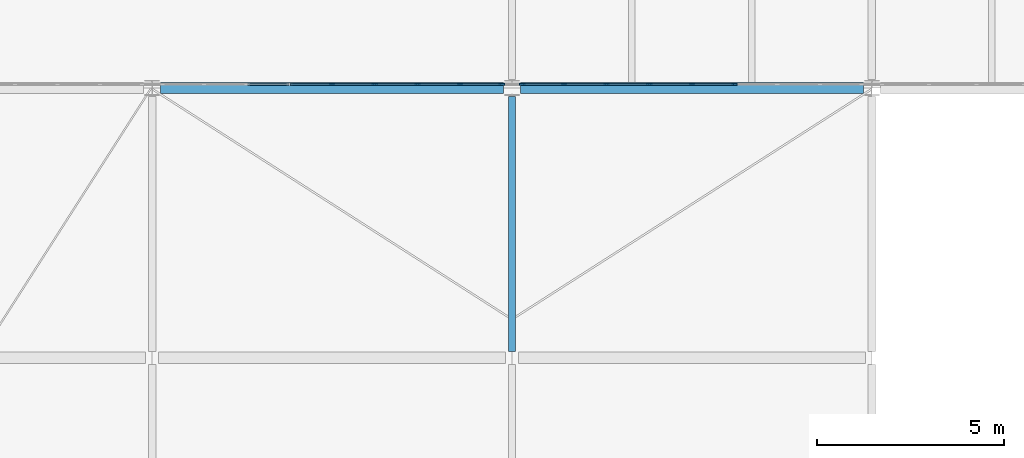
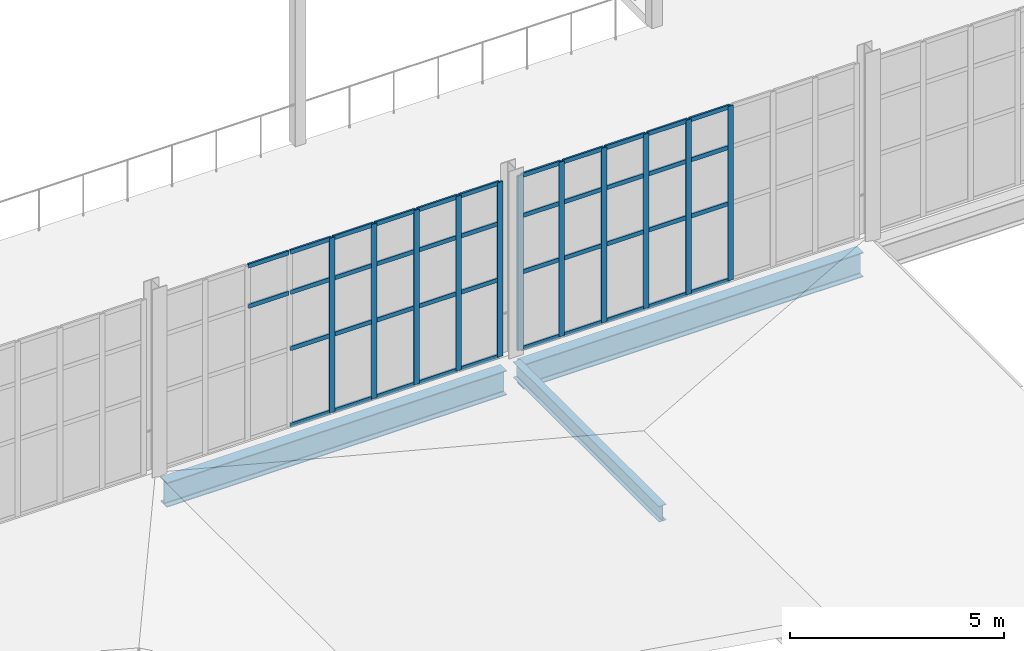
# One storey, part 36 of 112: 53 members, 3 beams, 2 elements without a shape of their own.
"""IFC4 building model written with IfcOpenShell, lengths in metres."""

from ifc_helpers import new_model, si_unit, direction, frame, origin, origin_2d, place, context, subcontext, project, spatial, rectangle, i_section, extrude, material, layer, layer_set, material_profile, profile_set, type_object, element, aggregate, save


model = new_model("IFC4")

# Units and contexts
model_context = context("Model", 3, precision=1e-05, world=origin(), true_north=direction((0.0, 1.0)))
body_context = subcontext(model_context, "Body", "Model", "MODEL_VIEW")
ifc_project = project(units=[si_unit("LENGTHUNIT", "METRE"), si_unit("AREAUNIT", "SQUARE_METRE"), si_unit("VOLUMEUNIT", "CUBIC_METRE"), si_unit("PLANEANGLEUNIT", "RADIAN"), si_unit("MASSUNIT", "GRAM", prefix="KILO")], contexts=[model_context])

# Site, building, storey
site_placement = place(None, origin())
site = spatial("IfcSite", under=ifc_project, at=site_placement, CompositionType="ELEMENT")
building_placement = place(site_placement, origin())
building = spatial("IfcBuilding", under=site, at=building_placement, Name="Yeouljin Market Hall", CompositionType="ELEMENT")
storey_placement = place(building_placement, frame((0.0, 0.0, 6.0)))
storey = spatial("IfcBuildingStorey", under=building, at=storey_placement, Name="L01", CompositionType="ELEMENT", Elevation=6.0)

# Beam
ifc_material_1 = material(Name="Steel SM355", Category="steel")
ifc_material_profile_1 = material_profile(ifc_material_1, i_section(OverallWidth=0.199951171875, OverallDepth=0.449951171875, WebThickness=0.009033203125, FlangeThickness=0.013916015625, FilletRadius=0.01806640625, at=origin_2d()), Name="H-450x200x9x14")
ifc_profile_set_1 = profile_set([ifc_material_profile_1], Name="Steel SM355")
beam_type_1 = type_object("IfcBeamType", Name="Beam_H-450x200x9x14", PredefinedType="BEAM", material=ifc_profile_set_1)
beam_1_placement = place(storey_placement, frame((121.800048828125, 28.97509765625, -0.2451171875), z_axis=(0.0, 1.0, 0.0), x_axis=(-1.0, 0.0, 0.0)))
element("IfcBeam", 1, at=beam_1_placement, inside=storey, type_object=beam_type_1, Name="Boulevard forecourt canopy beam BM-V5FC-Y31", PredefinedType="BEAM", context=body_context, shape_type="SweptSolid", body=[
    extrude(i_section(OverallWidth=0.199951171875, OverallDepth=0.449951171875, WebThickness=0.009033203125, FlangeThickness=0.013916015625, FilletRadius=0.01806640625, at=origin_2d()), origin(), (0.0, 0.0, 1.0), 6.7998046875),
])

# Curtain wall, members
ifc_material_2 = material(Name="Thermally Broken Aluminium", Category="aluminium")
ifc_layer = layer(ifc_material_2, 0.159912109375)
ifc_layer_set = layer_set([ifc_layer], Name="Thermally Broken Aluminium")
curtain_wall_type = type_object("IfcCurtainWallType", Name="CW_HallClerestory_System", PredefinedType="USERDEFINED", material=ifc_layer_set)
curtain_wall_1_placement = place(storey_placement, origin())
curtain_wall_1 = element("IfcCurtainWall", 2, at=curtain_wall_1_placement, inside=storey, type_object=curtain_wall_type, Name="Curtain wall CW-V1S-L01-09", ObjectType="CURTAIN WALL", PredefinedType="USERDEFINED")
ifc_material_3 = material(Name="Thermally Broken Aluminium", Category="aluminium")
ifc_material_profile_2 = material_profile(ifc_material_3, rectangle(XDim=0.048095703125, YDim=0.14990234375, at=origin_2d()), Name="CW-MULL-48x150")
ifc_profile_set_2 = profile_set([ifc_material_profile_2], Name="Thermally Broken Aluminium")
member_type_1 = type_object("IfcMemberType", Name="CWMullion_48x150", PredefinedType="MULLION", material=ifc_profile_set_2)
member_1_placement = place(storey_placement, frame((121.52587890625, 36.10009765625, 0.0), z_axis=(0.0, 0.0, 1.0), x_axis=(0.0, -1.0, 0.0)))
member_1 = element("IfcMember", 3, at=member_1_placement, type_object=member_type_1, Name="CW-02 mullion 1", PredefinedType="MULLION", context=body_context, shape_type="SweptSolid", body=[
    extrude(rectangle(XDim=0.048095703125, YDim=0.14990234375, at=origin_2d()), origin(), (0.0, 0.0, 1.0), 4.969970703125),
])
member_2_placement = place(storey_placement, frame((120.41259765625, 36.10009765625, 0.0), z_axis=(0.0, 0.0, 1.0), x_axis=(0.0, -1.0, 0.0)))
member_2 = element("IfcMember", 4, at=member_2_placement, type_object=member_type_1, Name="CW-02 mullion 2", PredefinedType="MULLION", context=body_context, shape_type="SweptSolid", body=[
    extrude(rectangle(XDim=0.048095703125, YDim=0.14990234375, at=origin_2d()), origin(), (0.0, 0.0, 1.0), 4.969970703125),
])
member_3_placement = place(storey_placement, frame((119.27490234375, 36.10009765625, 0.0), z_axis=(0.0, 0.0, 1.0), x_axis=(0.0, -1.0, 0.0)))
member_3 = element("IfcMember", 5, at=member_3_placement, type_object=member_type_1, Name="CW-02 mullion 3", PredefinedType="MULLION", context=body_context, shape_type="SweptSolid", body=[
    extrude(rectangle(XDim=0.048095703125, YDim=0.14990234375, at=origin_2d()), origin(), (0.0, 0.0, 1.0), 4.969970703125),
])
member_4_placement = place(storey_placement, frame((118.137451171875, 36.10009765625, 0.0), z_axis=(0.0, 0.0, 1.0), x_axis=(0.0, -1.0, 0.0)))
member_4 = element("IfcMember", 6, at=member_4_placement, type_object=member_type_1, Name="CW-02 mullion 4", PredefinedType="MULLION", context=body_context, shape_type="SweptSolid", body=[
    extrude(rectangle(XDim=0.048095703125, YDim=0.14990234375, at=origin_2d()), origin(), (0.0, 0.0, 1.0), 4.969970703125),
])
member_5_placement = place(storey_placement, frame((117.0, 36.10009765625, 0.0), z_axis=(0.0, 0.0, 1.0), x_axis=(0.0, -1.0, 0.0)))
member_5 = element("IfcMember", 7, at=member_5_placement, type_object=member_type_1, Name="CW-02 mullion 5", PredefinedType="MULLION", context=body_context, shape_type="SweptSolid", body=[
    extrude(rectangle(XDim=0.048095703125, YDim=0.14990234375, at=origin_2d()), origin(), (0.0, 0.0, 1.0), 4.969970703125),
])

curtain_wall_2_placement = place(storey_placement, origin())
curtain_wall_2 = element("IfcCurtainWall", 8, at=curtain_wall_2_placement, inside=storey, type_object=curtain_wall_type, Name="Curtain wall CW-V1S-L01-10", ObjectType="CURTAIN WALL", PredefinedType="USERDEFINED")
member_6_placement = place(storey_placement, frame((127.737548828125, 36.10009765625, 0.0), z_axis=(0.0, 0.0, 1.0), x_axis=(0.0, -1.0, 0.0)))
member_6 = element("IfcMember", 9, at=member_6_placement, type_object=member_type_1, Name="CW-02 mullion 4", PredefinedType="MULLION", context=body_context, shape_type="SweptSolid", body=[
    extrude(rectangle(XDim=0.048095703125, YDim=0.14990234375, at=origin_2d()), origin(), (0.0, 0.0, 1.0), 4.969970703125),
])
member_7_placement = place(storey_placement, frame((126.60009765625, 36.10009765625, 0.0), z_axis=(0.0, 0.0, 1.0), x_axis=(0.0, -1.0, 0.0)))
member_7 = element("IfcMember", 10, at=member_7_placement, type_object=member_type_1, Name="CW-02 mullion 5", PredefinedType="MULLION", context=body_context, shape_type="SweptSolid", body=[
    extrude(rectangle(XDim=0.048095703125, YDim=0.14990234375, at=origin_2d()), origin(), (0.0, 0.0, 1.0), 4.969970703125),
])
member_8_placement = place(storey_placement, frame((125.46240234375, 36.10009765625, 0.0), z_axis=(0.0, 0.0, 1.0), x_axis=(0.0, -1.0, 0.0)))
member_8 = element("IfcMember", 11, at=member_8_placement, type_object=member_type_1, Name="CW-02 mullion 6", PredefinedType="MULLION", context=body_context, shape_type="SweptSolid", body=[
    extrude(rectangle(XDim=0.048095703125, YDim=0.14990234375, at=origin_2d()), origin(), (0.0, 0.0, 1.0), 4.969970703125),
])
member_9_placement = place(storey_placement, frame((124.324951171875, 36.10009765625, 0.0), z_axis=(0.0, 0.0, 1.0), x_axis=(0.0, -1.0, 0.0)))
member_9 = element("IfcMember", 12, at=member_9_placement, type_object=member_type_1, Name="CW-02 mullion 7", PredefinedType="MULLION", context=body_context, shape_type="SweptSolid", body=[
    extrude(rectangle(XDim=0.048095703125, YDim=0.14990234375, at=origin_2d()), origin(), (0.0, 0.0, 1.0), 4.969970703125),
])
member_10_placement = place(storey_placement, frame((123.1875, 36.10009765625, 0.0), z_axis=(0.0, 0.0, 1.0), x_axis=(0.0, -1.0, 0.0)))
member_10 = element("IfcMember", 13, at=member_10_placement, type_object=member_type_1, Name="CW-02 mullion 8", PredefinedType="MULLION", context=body_context, shape_type="SweptSolid", body=[
    extrude(rectangle(XDim=0.048095703125, YDim=0.14990234375, at=origin_2d()), origin(), (0.0, 0.0, 1.0), 4.969970703125),
])
member_11_placement = place(storey_placement, frame((122.073974609375, 36.10009765625, 0.0), z_axis=(0.0, 0.0, 1.0), x_axis=(0.0, -1.0, 0.0)))
member_11 = element("IfcMember", 14, at=member_11_placement, type_object=member_type_1, Name="CW-02 mullion 9", PredefinedType="MULLION", context=body_context, shape_type="SweptSolid", body=[
    extrude(rectangle(XDim=0.048095703125, YDim=0.14990234375, at=origin_2d()), origin(), (0.0, 0.0, 1.0), 4.969970703125),
])

# Member
ifc_material_4 = material(Name="Thermally Broken Aluminium", Category="aluminium")
ifc_material_profile_3 = material_profile(ifc_material_4, rectangle(XDim=0.048095703125, YDim=0.1201171875, at=origin_2d()), Name="CW-TRAN-48x120")
ifc_profile_set_3 = profile_set([ifc_material_profile_3], Name="Thermally Broken Aluminium")
member_type_2 = type_object("IfcMemberType", Name="CWTransom_48x120", PredefinedType="USERDEFINED", material=ifc_profile_set_3)
member_12_placement = place(storey_placement, frame((121.501953125, 36.10009765625, 0.02392578125), z_axis=(-1.0, 0.0, 0.0), x_axis=(0.0, -1.0, 0.0)))
member_12 = element("IfcMember", 15, at=member_12_placement, type_object=member_type_2, Name="CW-02 transom 1.1", ObjectType="TRANSOM", PredefinedType="USERDEFINED", context=body_context, shape_type="SweptSolid", body=[
    extrude(rectangle(XDim=0.048095703125, YDim=0.1201171875, at=origin_2d()), origin(), (0.0, 0.0, 1.0), 1.0654296875),
])

member_13_placement = place(storey_placement, frame((121.501953125, 36.10009765625, 2.199951171875), z_axis=(-1.0, 0.0, 0.0), x_axis=(0.0, -1.0, 0.0)))
member_13 = element("IfcMember", 16, at=member_13_placement, type_object=member_type_2, Name="CW-02 transom 1.2", ObjectType="TRANSOM", PredefinedType="USERDEFINED", context=body_context, shape_type="SweptSolid", body=[
    extrude(rectangle(XDim=0.048095703125, YDim=0.1201171875, at=origin_2d()), origin(), (0.0, 0.0, 1.0), 1.0654296875),
])

member_14_placement = place(storey_placement, frame((121.501953125, 36.10009765625, 3.800048828125), z_axis=(-1.0, 0.0, 0.0), x_axis=(0.0, -1.0, 0.0)))
member_14 = element("IfcMember", 17, at=member_14_placement, type_object=member_type_2, Name="CW-02 transom 1.3", ObjectType="TRANSOM", PredefinedType="USERDEFINED", context=body_context, shape_type="SweptSolid", body=[
    extrude(rectangle(XDim=0.048095703125, YDim=0.1201171875, at=origin_2d()), origin(), (0.0, 0.0, 1.0), 1.0654296875),
])

member_15_placement = place(storey_placement, frame((121.501953125, 36.10009765625, 4.946044921875), z_axis=(-1.0, 0.0, 0.0), x_axis=(0.0, -1.0, 0.0)))
member_15 = element("IfcMember", 18, at=member_15_placement, type_object=member_type_2, Name="CW-02 transom 1.4", ObjectType="TRANSOM", PredefinedType="USERDEFINED", context=body_context, shape_type="SweptSolid", body=[
    extrude(rectangle(XDim=0.048095703125, YDim=0.1201171875, at=origin_2d()), origin(), (0.0, 0.0, 1.0), 1.0654296875),
])

member_16_placement = place(storey_placement, frame((120.388427734375, 36.10009765625, 0.02392578125), z_axis=(-1.0, 0.0, 0.0), x_axis=(0.0, -1.0, 0.0)))
member_16 = element("IfcMember", 19, at=member_16_placement, type_object=member_type_2, Name="CW-02 transom 2.1", ObjectType="TRANSOM", PredefinedType="USERDEFINED", context=body_context, shape_type="SweptSolid", body=[
    extrude(rectangle(XDim=0.048095703125, YDim=0.1201171875, at=origin_2d()), origin(), (0.0, 0.0, 1.0), 1.08935546875),
])

member_17_placement = place(storey_placement, frame((120.388427734375, 36.10009765625, 2.199951171875), z_axis=(-1.0, 0.0, 0.0), x_axis=(0.0, -1.0, 0.0)))
member_17 = element("IfcMember", 20, at=member_17_placement, type_object=member_type_2, Name="CW-02 transom 2.2", ObjectType="TRANSOM", PredefinedType="USERDEFINED", context=body_context, shape_type="SweptSolid", body=[
    extrude(rectangle(XDim=0.048095703125, YDim=0.1201171875, at=origin_2d()), origin(), (0.0, 0.0, 1.0), 1.08935546875),
])

member_18_placement = place(storey_placement, frame((120.388427734375, 36.10009765625, 3.800048828125), z_axis=(-1.0, 0.0, 0.0), x_axis=(0.0, -1.0, 0.0)))
member_18 = element("IfcMember", 21, at=member_18_placement, type_object=member_type_2, Name="CW-02 transom 2.3", ObjectType="TRANSOM", PredefinedType="USERDEFINED", context=body_context, shape_type="SweptSolid", body=[
    extrude(rectangle(XDim=0.048095703125, YDim=0.1201171875, at=origin_2d()), origin(), (0.0, 0.0, 1.0), 1.08935546875),
])

member_19_placement = place(storey_placement, frame((120.388427734375, 36.10009765625, 4.946044921875), z_axis=(-1.0, 0.0, 0.0), x_axis=(0.0, -1.0, 0.0)))
member_19 = element("IfcMember", 22, at=member_19_placement, type_object=member_type_2, Name="CW-02 transom 2.4", ObjectType="TRANSOM", PredefinedType="USERDEFINED", context=body_context, shape_type="SweptSolid", body=[
    extrude(rectangle(XDim=0.048095703125, YDim=0.1201171875, at=origin_2d()), origin(), (0.0, 0.0, 1.0), 1.08935546875),
])

member_20_placement = place(storey_placement, frame((119.2509765625, 36.10009765625, 0.02392578125), z_axis=(-1.0, 0.0, 0.0), x_axis=(0.0, -1.0, 0.0)))
member_20 = element("IfcMember", 23, at=member_20_placement, type_object=member_type_2, Name="CW-02 transom 3.1", ObjectType="TRANSOM", PredefinedType="USERDEFINED", context=body_context, shape_type="SweptSolid", body=[
    extrude(rectangle(XDim=0.048095703125, YDim=0.1201171875, at=origin_2d()), origin(), (0.0, 0.0, 1.0), 1.08935546875),
])

member_21_placement = place(storey_placement, frame((119.2509765625, 36.10009765625, 2.199951171875), z_axis=(-1.0, 0.0, 0.0), x_axis=(0.0, -1.0, 0.0)))
member_21 = element("IfcMember", 24, at=member_21_placement, type_object=member_type_2, Name="CW-02 transom 3.2", ObjectType="TRANSOM", PredefinedType="USERDEFINED", context=body_context, shape_type="SweptSolid", body=[
    extrude(rectangle(XDim=0.048095703125, YDim=0.1201171875, at=origin_2d()), origin(), (0.0, 0.0, 1.0), 1.08935546875),
])

member_22_placement = place(storey_placement, frame((119.2509765625, 36.10009765625, 3.800048828125), z_axis=(-1.0, 0.0, 0.0), x_axis=(0.0, -1.0, 0.0)))
member_22 = element("IfcMember", 25, at=member_22_placement, type_object=member_type_2, Name="CW-02 transom 3.3", ObjectType="TRANSOM", PredefinedType="USERDEFINED", context=body_context, shape_type="SweptSolid", body=[
    extrude(rectangle(XDim=0.048095703125, YDim=0.1201171875, at=origin_2d()), origin(), (0.0, 0.0, 1.0), 1.08935546875),
])

member_23_placement = place(storey_placement, frame((119.2509765625, 36.10009765625, 4.946044921875), z_axis=(-1.0, 0.0, 0.0), x_axis=(0.0, -1.0, 0.0)))
member_23 = element("IfcMember", 26, at=member_23_placement, type_object=member_type_2, Name="CW-02 transom 3.4", ObjectType="TRANSOM", PredefinedType="USERDEFINED", context=body_context, shape_type="SweptSolid", body=[
    extrude(rectangle(XDim=0.048095703125, YDim=0.1201171875, at=origin_2d()), origin(), (0.0, 0.0, 1.0), 1.08935546875),
])

member_24_placement = place(storey_placement, frame((118.113525390625, 36.10009765625, 0.02392578125), z_axis=(-1.0, 0.0, 0.0), x_axis=(0.0, -1.0, 0.0)))
member_24 = element("IfcMember", 27, at=member_24_placement, type_object=member_type_2, Name="CW-02 transom 4.1", ObjectType="TRANSOM", PredefinedType="USERDEFINED", context=body_context, shape_type="SweptSolid", body=[
    extrude(rectangle(XDim=0.048095703125, YDim=0.1201171875, at=origin_2d()), origin(), (0.0, 0.0, 1.0), 1.089599609375),
])

member_25_placement = place(storey_placement, frame((118.113525390625, 36.10009765625, 2.199951171875), z_axis=(-1.0, 0.0, 0.0), x_axis=(0.0, -1.0, 0.0)))
member_25 = element("IfcMember", 28, at=member_25_placement, type_object=member_type_2, Name="CW-02 transom 4.2", ObjectType="TRANSOM", PredefinedType="USERDEFINED", context=body_context, shape_type="SweptSolid", body=[
    extrude(rectangle(XDim=0.048095703125, YDim=0.1201171875, at=origin_2d()), origin(), (0.0, 0.0, 1.0), 1.089599609375),
])

member_26_placement = place(storey_placement, frame((118.113525390625, 36.10009765625, 3.800048828125), z_axis=(-1.0, 0.0, 0.0), x_axis=(0.0, -1.0, 0.0)))
member_26 = element("IfcMember", 29, at=member_26_placement, type_object=member_type_2, Name="CW-02 transom 4.3", ObjectType="TRANSOM", PredefinedType="USERDEFINED", context=body_context, shape_type="SweptSolid", body=[
    extrude(rectangle(XDim=0.048095703125, YDim=0.1201171875, at=origin_2d()), origin(), (0.0, 0.0, 1.0), 1.089599609375),
])

member_27_placement = place(storey_placement, frame((118.113525390625, 36.10009765625, 4.946044921875), z_axis=(-1.0, 0.0, 0.0), x_axis=(0.0, -1.0, 0.0)))
member_27 = element("IfcMember", 30, at=member_27_placement, type_object=member_type_2, Name="CW-02 transom 4.4", ObjectType="TRANSOM", PredefinedType="USERDEFINED", context=body_context, shape_type="SweptSolid", body=[
    extrude(rectangle(XDim=0.048095703125, YDim=0.1201171875, at=origin_2d()), origin(), (0.0, 0.0, 1.0), 1.089599609375),
])

member_28_placement = place(storey_placement, frame((116.97607421875, 36.10009765625, 0.02392578125), z_axis=(-1.0, 0.0, 0.0), x_axis=(0.0, -1.0, 0.0)))
member_28 = element("IfcMember", 31, at=member_28_placement, type_object=member_type_2, Name="CW-02 transom 5.1", ObjectType="TRANSOM", PredefinedType="USERDEFINED", context=body_context, shape_type="SweptSolid", body=[
    extrude(rectangle(XDim=0.048095703125, YDim=0.1201171875, at=origin_2d()), origin(), (0.0, 0.0, 1.0), 1.089599609375),
])

member_29_placement = place(storey_placement, frame((116.97607421875, 36.10009765625, 2.199951171875), z_axis=(-1.0, 0.0, 0.0), x_axis=(0.0, -1.0, 0.0)))
member_29 = element("IfcMember", 32, at=member_29_placement, type_object=member_type_2, Name="CW-02 transom 5.2", ObjectType="TRANSOM", PredefinedType="USERDEFINED", context=body_context, shape_type="SweptSolid", body=[
    extrude(rectangle(XDim=0.048095703125, YDim=0.1201171875, at=origin_2d()), origin(), (0.0, 0.0, 1.0), 1.089599609375),
])

member_30_placement = place(storey_placement, frame((116.97607421875, 36.10009765625, 3.800048828125), z_axis=(-1.0, 0.0, 0.0), x_axis=(0.0, -1.0, 0.0)))
member_30 = element("IfcMember", 33, at=member_30_placement, type_object=member_type_2, Name="CW-02 transom 5.3", ObjectType="TRANSOM", PredefinedType="USERDEFINED", context=body_context, shape_type="SweptSolid", body=[
    extrude(rectangle(XDim=0.048095703125, YDim=0.1201171875, at=origin_2d()), origin(), (0.0, 0.0, 1.0), 1.089599609375),
])

member_31_placement = place(storey_placement, frame((116.97607421875, 36.10009765625, 4.946044921875), z_axis=(-1.0, 0.0, 0.0), x_axis=(0.0, -1.0, 0.0)))
member_31 = element("IfcMember", 34, at=member_31_placement, type_object=member_type_2, Name="CW-02 transom 5.4", ObjectType="TRANSOM", PredefinedType="USERDEFINED", context=body_context, shape_type="SweptSolid", body=[
    extrude(rectangle(XDim=0.048095703125, YDim=0.1201171875, at=origin_2d()), origin(), (0.0, 0.0, 1.0), 1.089599609375),
])

member_32_placement = place(storey_placement, frame((115.83837890625, 36.10009765625, 3.800048828125), z_axis=(-1.0, 0.0, 0.0), x_axis=(0.0, -1.0, 0.0)))
member_32 = element("IfcMember", 35, at=member_32_placement, type_object=member_type_2, Name="CW-02 transom 6.3", ObjectType="TRANSOM", PredefinedType="USERDEFINED", context=body_context, shape_type="SweptSolid", body=[
    extrude(rectangle(XDim=0.048095703125, YDim=0.1201171875, at=origin_2d()), origin(), (0.0, 0.0, 1.0), 1.08935546875),
])

member_33_placement = place(storey_placement, frame((115.83837890625, 36.10009765625, 4.946044921875), z_axis=(-1.0, 0.0, 0.0), x_axis=(0.0, -1.0, 0.0)))
member_33 = element("IfcMember", 36, at=member_33_placement, type_object=member_type_2, Name="CW-02 transom 6.4", ObjectType="TRANSOM", PredefinedType="USERDEFINED", context=body_context, shape_type="SweptSolid", body=[
    extrude(rectangle(XDim=0.048095703125, YDim=0.1201171875, at=origin_2d()), origin(), (0.0, 0.0, 1.0), 1.08935546875),
])

aggregate(curtain_wall_1, [member_1, member_2, member_3, member_4, member_5, member_12, member_13, member_14, member_15, member_16, member_17, member_18, member_19, member_20, member_21, member_22, member_23, member_24, member_25, member_26, member_27, member_28, member_29, member_30, member_31, member_32, member_33])

member_34_placement = place(storey_placement, frame((127.71337890625, 36.10009765625, 0.02392578125), z_axis=(-1.0, 0.0, 0.0), x_axis=(0.0, -1.0, 0.0)))
member_34 = element("IfcMember", 37, at=member_34_placement, type_object=member_type_2, Name="CW-02 transom 4.1", ObjectType="TRANSOM", PredefinedType="USERDEFINED", context=body_context, shape_type="SweptSolid", body=[
    extrude(rectangle(XDim=0.048095703125, YDim=0.1201171875, at=origin_2d()), origin(), (0.0, 0.0, 1.0), 1.08935546875),
])

member_35_placement = place(storey_placement, frame((127.71337890625, 36.10009765625, 2.199951171875), z_axis=(-1.0, 0.0, 0.0), x_axis=(0.0, -1.0, 0.0)))
member_35 = element("IfcMember", 38, at=member_35_placement, type_object=member_type_2, Name="CW-02 transom 4.2", ObjectType="TRANSOM", PredefinedType="USERDEFINED", context=body_context, shape_type="SweptSolid", body=[
    extrude(rectangle(XDim=0.048095703125, YDim=0.1201171875, at=origin_2d()), origin(), (0.0, 0.0, 1.0), 1.08935546875),
])

member_36_placement = place(storey_placement, frame((127.71337890625, 36.10009765625, 3.800048828125), z_axis=(-1.0, 0.0, 0.0), x_axis=(0.0, -1.0, 0.0)))
member_36 = element("IfcMember", 39, at=member_36_placement, type_object=member_type_2, Name="CW-02 transom 4.3", ObjectType="TRANSOM", PredefinedType="USERDEFINED", context=body_context, shape_type="SweptSolid", body=[
    extrude(rectangle(XDim=0.048095703125, YDim=0.1201171875, at=origin_2d()), origin(), (0.0, 0.0, 1.0), 1.08935546875),
])

member_37_placement = place(storey_placement, frame((127.71337890625, 36.10009765625, 4.946044921875), z_axis=(-1.0, 0.0, 0.0), x_axis=(0.0, -1.0, 0.0)))
member_37 = element("IfcMember", 40, at=member_37_placement, type_object=member_type_2, Name="CW-02 transom 4.4", ObjectType="TRANSOM", PredefinedType="USERDEFINED", context=body_context, shape_type="SweptSolid", body=[
    extrude(rectangle(XDim=0.048095703125, YDim=0.1201171875, at=origin_2d()), origin(), (0.0, 0.0, 1.0), 1.08935546875),
])

member_38_placement = place(storey_placement, frame((126.575927734375, 36.10009765625, 0.02392578125), z_axis=(-1.0, 0.0, 0.0), x_axis=(0.0, -1.0, 0.0)))
member_38 = element("IfcMember", 41, at=member_38_placement, type_object=member_type_2, Name="CW-02 transom 5.1", ObjectType="TRANSOM", PredefinedType="USERDEFINED", context=body_context, shape_type="SweptSolid", body=[
    extrude(rectangle(XDim=0.048095703125, YDim=0.1201171875, at=origin_2d()), origin(), (0.0, 0.0, 1.0), 1.08935546875),
])

member_39_placement = place(storey_placement, frame((126.575927734375, 36.10009765625, 2.199951171875), z_axis=(-1.0, 0.0, 0.0), x_axis=(0.0, -1.0, 0.0)))
member_39 = element("IfcMember", 42, at=member_39_placement, type_object=member_type_2, Name="CW-02 transom 5.2", ObjectType="TRANSOM", PredefinedType="USERDEFINED", context=body_context, shape_type="SweptSolid", body=[
    extrude(rectangle(XDim=0.048095703125, YDim=0.1201171875, at=origin_2d()), origin(), (0.0, 0.0, 1.0), 1.08935546875),
])

member_40_placement = place(storey_placement, frame((126.575927734375, 36.10009765625, 3.800048828125), z_axis=(-1.0, 0.0, 0.0), x_axis=(0.0, -1.0, 0.0)))
member_40 = element("IfcMember", 43, at=member_40_placement, type_object=member_type_2, Name="CW-02 transom 5.3", ObjectType="TRANSOM", PredefinedType="USERDEFINED", context=body_context, shape_type="SweptSolid", body=[
    extrude(rectangle(XDim=0.048095703125, YDim=0.1201171875, at=origin_2d()), origin(), (0.0, 0.0, 1.0), 1.08935546875),
])

member_41_placement = place(storey_placement, frame((126.575927734375, 36.10009765625, 4.946044921875), z_axis=(-1.0, 0.0, 0.0), x_axis=(0.0, -1.0, 0.0)))
member_41 = element("IfcMember", 44, at=member_41_placement, type_object=member_type_2, Name="CW-02 transom 5.4", ObjectType="TRANSOM", PredefinedType="USERDEFINED", context=body_context, shape_type="SweptSolid", body=[
    extrude(rectangle(XDim=0.048095703125, YDim=0.1201171875, at=origin_2d()), origin(), (0.0, 0.0, 1.0), 1.08935546875),
])

member_42_placement = place(storey_placement, frame((125.4384765625, 36.10009765625, 0.02392578125), z_axis=(-1.0, 0.0, 0.0), x_axis=(0.0, -1.0, 0.0)))
member_42 = element("IfcMember", 45, at=member_42_placement, type_object=member_type_2, Name="CW-02 transom 6.1", ObjectType="TRANSOM", PredefinedType="USERDEFINED", context=body_context, shape_type="SweptSolid", body=[
    extrude(rectangle(XDim=0.048095703125, YDim=0.1201171875, at=origin_2d()), origin(), (0.0, 0.0, 1.0), 1.08935546875),
])

member_43_placement = place(storey_placement, frame((125.4384765625, 36.10009765625, 2.199951171875), z_axis=(-1.0, 0.0, 0.0), x_axis=(0.0, -1.0, 0.0)))
member_43 = element("IfcMember", 46, at=member_43_placement, type_object=member_type_2, Name="CW-02 transom 6.2", ObjectType="TRANSOM", PredefinedType="USERDEFINED", context=body_context, shape_type="SweptSolid", body=[
    extrude(rectangle(XDim=0.048095703125, YDim=0.1201171875, at=origin_2d()), origin(), (0.0, 0.0, 1.0), 1.08935546875),
])

member_44_placement = place(storey_placement, frame((125.4384765625, 36.10009765625, 3.800048828125), z_axis=(-1.0, 0.0, 0.0), x_axis=(0.0, -1.0, 0.0)))
member_44 = element("IfcMember", 47, at=member_44_placement, type_object=member_type_2, Name="CW-02 transom 6.3", ObjectType="TRANSOM", PredefinedType="USERDEFINED", context=body_context, shape_type="SweptSolid", body=[
    extrude(rectangle(XDim=0.048095703125, YDim=0.1201171875, at=origin_2d()), origin(), (0.0, 0.0, 1.0), 1.08935546875),
])

member_45_placement = place(storey_placement, frame((125.4384765625, 36.10009765625, 4.946044921875), z_axis=(-1.0, 0.0, 0.0), x_axis=(0.0, -1.0, 0.0)))
member_45 = element("IfcMember", 48, at=member_45_placement, type_object=member_type_2, Name="CW-02 transom 6.4", ObjectType="TRANSOM", PredefinedType="USERDEFINED", context=body_context, shape_type="SweptSolid", body=[
    extrude(rectangle(XDim=0.048095703125, YDim=0.1201171875, at=origin_2d()), origin(), (0.0, 0.0, 1.0), 1.08935546875),
])

member_46_placement = place(storey_placement, frame((124.301025390625, 36.10009765625, 0.02392578125), z_axis=(-1.0, 0.0, 0.0), x_axis=(0.0, -1.0, 0.0)))
member_46 = element("IfcMember", 49, at=member_46_placement, type_object=member_type_2, Name="CW-02 transom 7.1", ObjectType="TRANSOM", PredefinedType="USERDEFINED", context=body_context, shape_type="SweptSolid", body=[
    extrude(rectangle(XDim=0.048095703125, YDim=0.1201171875, at=origin_2d()), origin(), (0.0, 0.0, 1.0), 1.089599609375),
])

member_47_placement = place(storey_placement, frame((124.301025390625, 36.10009765625, 2.199951171875), z_axis=(-1.0, 0.0, 0.0), x_axis=(0.0, -1.0, 0.0)))
member_47 = element("IfcMember", 50, at=member_47_placement, type_object=member_type_2, Name="CW-02 transom 7.2", ObjectType="TRANSOM", PredefinedType="USERDEFINED", context=body_context, shape_type="SweptSolid", body=[
    extrude(rectangle(XDim=0.048095703125, YDim=0.1201171875, at=origin_2d()), origin(), (0.0, 0.0, 1.0), 1.089599609375),
])

member_48_placement = place(storey_placement, frame((124.301025390625, 36.10009765625, 3.800048828125), z_axis=(-1.0, 0.0, 0.0), x_axis=(0.0, -1.0, 0.0)))
member_48 = element("IfcMember", 51, at=member_48_placement, type_object=member_type_2, Name="CW-02 transom 7.3", ObjectType="TRANSOM", PredefinedType="USERDEFINED", context=body_context, shape_type="SweptSolid", body=[
    extrude(rectangle(XDim=0.048095703125, YDim=0.1201171875, at=origin_2d()), origin(), (0.0, 0.0, 1.0), 1.089599609375),
])

member_49_placement = place(storey_placement, frame((124.301025390625, 36.10009765625, 4.946044921875), z_axis=(-1.0, 0.0, 0.0), x_axis=(0.0, -1.0, 0.0)))
member_49 = element("IfcMember", 52, at=member_49_placement, type_object=member_type_2, Name="CW-02 transom 7.4", ObjectType="TRANSOM", PredefinedType="USERDEFINED", context=body_context, shape_type="SweptSolid", body=[
    extrude(rectangle(XDim=0.048095703125, YDim=0.1201171875, at=origin_2d()), origin(), (0.0, 0.0, 1.0), 1.089599609375),
])

member_50_placement = place(storey_placement, frame((123.16357421875, 36.10009765625, 0.02392578125), z_axis=(-1.0, 0.0, 0.0), x_axis=(0.0, -1.0, 0.0)))
member_50 = element("IfcMember", 53, at=member_50_placement, type_object=member_type_2, Name="CW-02 transom 8.1", ObjectType="TRANSOM", PredefinedType="USERDEFINED", context=body_context, shape_type="SweptSolid", body=[
    extrude(rectangle(XDim=0.048095703125, YDim=0.1201171875, at=origin_2d()), origin(), (0.0, 0.0, 1.0), 1.065673828125),
])

member_51_placement = place(storey_placement, frame((123.16357421875, 36.10009765625, 2.199951171875), z_axis=(-1.0, 0.0, 0.0), x_axis=(0.0, -1.0, 0.0)))
member_51 = element("IfcMember", 54, at=member_51_placement, type_object=member_type_2, Name="CW-02 transom 8.2", ObjectType="TRANSOM", PredefinedType="USERDEFINED", context=body_context, shape_type="SweptSolid", body=[
    extrude(rectangle(XDim=0.048095703125, YDim=0.1201171875, at=origin_2d()), origin(), (0.0, 0.0, 1.0), 1.065673828125),
])

member_52_placement = place(storey_placement, frame((123.16357421875, 36.10009765625, 3.800048828125), z_axis=(-1.0, 0.0, 0.0), x_axis=(0.0, -1.0, 0.0)))
member_52 = element("IfcMember", 55, at=member_52_placement, type_object=member_type_2, Name="CW-02 transom 8.3", ObjectType="TRANSOM", PredefinedType="USERDEFINED", context=body_context, shape_type="SweptSolid", body=[
    extrude(rectangle(XDim=0.048095703125, YDim=0.1201171875, at=origin_2d()), origin(), (0.0, 0.0, 1.0), 1.065673828125),
])

member_53_placement = place(storey_placement, frame((123.16357421875, 36.10009765625, 4.946044921875), z_axis=(-1.0, 0.0, 0.0), x_axis=(0.0, -1.0, 0.0)))
member_53 = element("IfcMember", 56, at=member_53_placement, type_object=member_type_2, Name="CW-02 transom 8.4", ObjectType="TRANSOM", PredefinedType="USERDEFINED", context=body_context, shape_type="SweptSolid", body=[
    extrude(rectangle(XDim=0.048095703125, YDim=0.1201171875, at=origin_2d()), origin(), (0.0, 0.0, 1.0), 1.065673828125),
])

aggregate(curtain_wall_2, [member_6, member_7, member_8, member_9, member_10, member_11, member_34, member_35, member_36, member_37, member_38, member_39, member_40, member_41, member_42, member_43, member_44, member_45, member_46, member_47, member_48, member_49, member_50, member_51, member_52, member_53])

# Beams
ifc_material_5 = material(Name="Steel SM355", Category="steel")
ifc_material_profile_4 = material_profile(ifc_material_5, i_section(OverallWidth=0.300048828125, OverallDepth=0.699951171875, WebThickness=0.012939453125, FlangeThickness=0.02392578125, FilletRadius=0.02587890625, at=origin_2d()), Name="H-700x300x13x24")
ifc_profile_set_4 = profile_set([ifc_material_profile_4], Name="Steel SM355")
beam_type_2 = type_object("IfcBeamType", Name="Girder_H-700x300x13x24", PredefinedType="USERDEFINED", material=ifc_profile_set_4)
beam_2_placement = place(storey_placement, frame((112.425048828125, 36.0, -0.6201171875), z_axis=(1.0, 0.0, 0.0), x_axis=(0.0, 1.0, 0.0)))
element("IfcBeam", 57, at=beam_2_placement, inside=storey, type_object=beam_type_2, Name="Primary girder GRD-L01-X056", ObjectType="GIRDER", PredefinedType="USERDEFINED", context=body_context, shape_type="SweptSolid", body=[
    extrude(i_section(OverallWidth=0.300048828125, OverallDepth=0.699951171875, WebThickness=0.012939453125, FlangeThickness=0.02392578125, FilletRadius=0.02587890625, at=origin_2d()), origin(), (0.0, 0.0, 1.0), 9.14990234375),
])
beam_3_placement = place(storey_placement, frame((122.02490234375, 36.0, -0.6201171875), z_axis=(1.0, 0.0, 0.0), x_axis=(0.0, 1.0, 0.0)))
element("IfcBeam", 58, at=beam_3_placement, inside=storey, type_object=beam_type_2, Name="Primary girder GRD-L01-X057", ObjectType="GIRDER", PredefinedType="USERDEFINED", context=body_context, shape_type="SweptSolid", body=[
    extrude(i_section(OverallWidth=0.300048828125, OverallDepth=0.699951171875, WebThickness=0.012939453125, FlangeThickness=0.02392578125, FilletRadius=0.02587890625, at=origin_2d()), origin(), (0.0, 0.0, 1.0), 9.150146484375),
])

save(model, "model.ifc")
